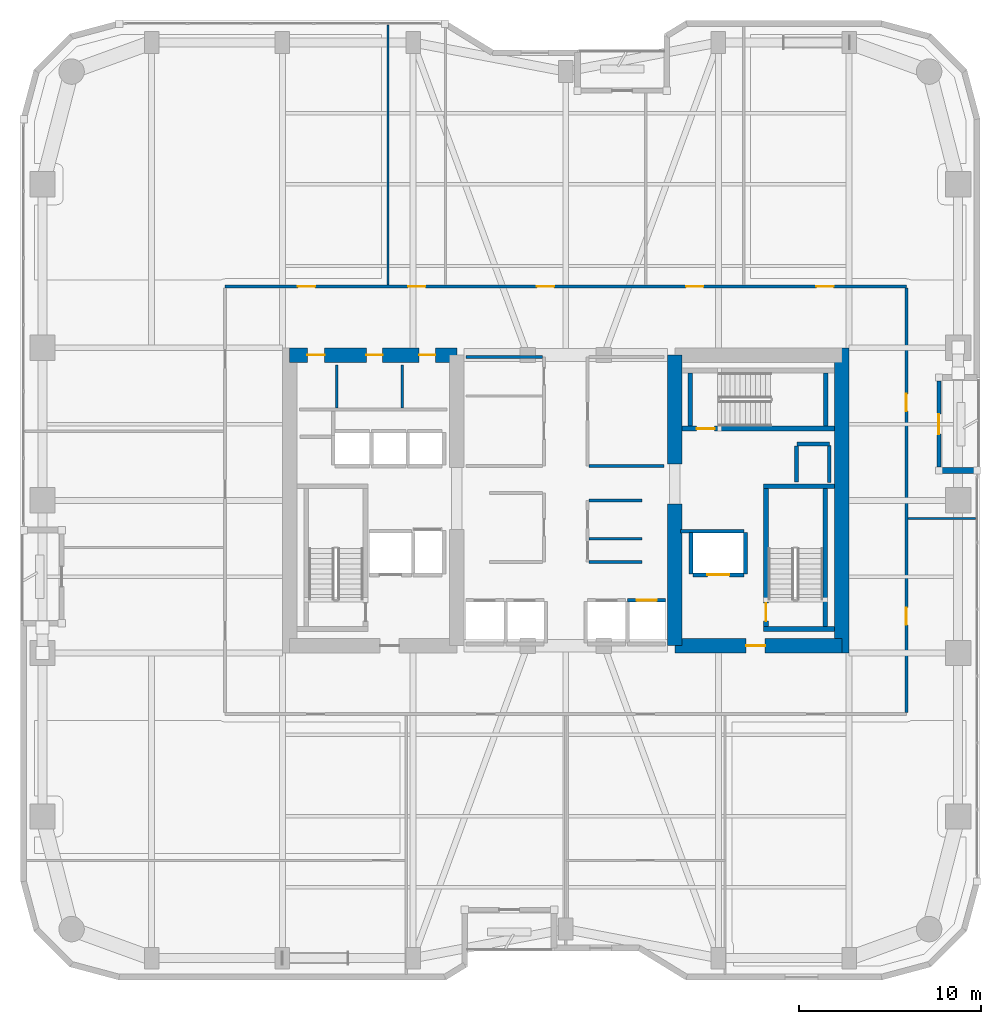
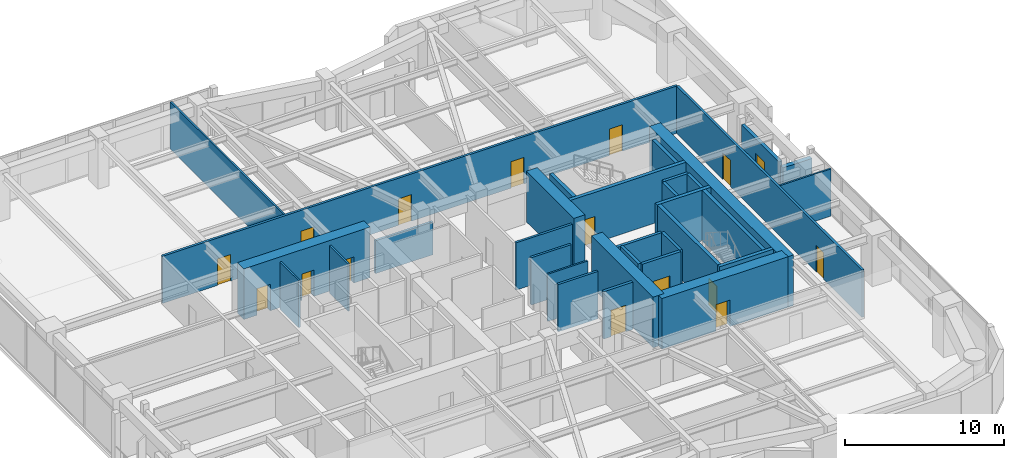
# One storey, part 20 of 24: 33 walls, 16 doors, 16 openings.
"""IFC4 building model written with IfcOpenShell, lengths in metres."""

from ifc_helpers import new_model, si_unit, direction, frame, frame_2d, origin, place, context, subcontext, project, spatial, rectangle, extrude, material, layer, layer_set, type_object, element, fill, save


model = new_model("IFC4")

# Units and contexts
model_context = context("Model", 3, precision=1e-05, world=origin(), true_north=direction((0.0, 1.0)))
body_context = subcontext(model_context, "Body", "Model", "MODEL_VIEW")
ifc_project = project(units=[si_unit("LENGTHUNIT", "METRE"), si_unit("AREAUNIT", "SQUARE_METRE"), si_unit("VOLUMEUNIT", "CUBIC_METRE"), si_unit("PLANEANGLEUNIT", "RADIAN"), si_unit("MASSUNIT", "GRAM", prefix="KILO")], contexts=[model_context])

# Site, building, storey
site_placement = place(None, origin())
site = spatial("IfcSite", under=ifc_project, at=site_placement, CompositionType="ELEMENT")
building_placement = place(site_placement, origin())
building = spatial("IfcBuilding", under=site, at=building_placement, Name="Kiyonajd Concourse Tower", CompositionType="ELEMENT")
storey_placement = place(building_placement, frame((0.0, 0.0, 93.60009765625)))
storey = spatial("IfcBuildingStorey", under=building, at=storey_placement, Name="L24", CompositionType="ELEMENT", Elevation=93.60009765625)

# Wall, openings, doors
ifc_material_1 = material(Name="Concrete C70/85", Category="concrete")
ifc_layer_1 = layer(ifc_material_1, 0.800048828125)
ifc_layer_set_1 = layer_set([ifc_layer_1], Name="Concrete C70/85")
wall_type_1 = type_object("IfcWallType", Name="WL-CORE-800", PredefinedType="SHEAR", material=ifc_layer_set_1)
wall_1_placement = place(storey_placement, frame((32.800048828125, 44.0, 0.0), z_axis=(0.0, 0.0, 1.0), x_axis=(1.0, 0.0, 0.0)))
wall_1 = element("IfcWall", 1, at=wall_1_placement, inside=storey, type_object=wall_type_1, Name="L24 West Core North Shear Wall", PredefinedType="SHEAR", context=body_context, shape_type="SweptSolid", body=[
    extrude(rectangle(XDim=9.199951171875, YDim=0.800048828125, at=frame_2d((4.60009765625, 0.0))), origin(), (0.0, 0.0, 1.0), 3.89990234375),
])
opening_1_placement = place(wall_1_placement, frame((0.97509765625, 0.0, 0.0)))
opening_1 = element("IfcOpeningElement", 2, at=opening_1_placement, cuts=wall_1, Name="Opening DI1", PredefinedType="OPENING", context=body_context, shape_type="SweptSolid", body=[
    extrude(rectangle(XDim=0.949951171875, YDim=2.0400390625, at=frame_2d((0.47509765625, 1.02001953125))), frame((0.0, 0.409912109375, 0.0), z_axis=(0.0, -1.0, 0.0), x_axis=(1.0, 0.0, 0.0)), (0.0, 0.0, 1.0), 0.820068359375),
])
opening_2_placement = place(wall_1_placement, frame((4.22509765625, 0.0, 0.0)))
opening_2 = element("IfcOpeningElement", 3, at=opening_2_placement, cuts=wall_1, Name="Opening DI2", PredefinedType="OPENING", context=body_context, shape_type="SweptSolid", body=[
    extrude(rectangle(XDim=0.89990234375, YDim=2.02001953125, at=frame_2d((0.449951171875, 1.010009765625))), frame((0.0, 0.409912109375, 0.0), z_axis=(0.0, -1.0, 0.0), x_axis=(1.0, 0.0, 0.0)), (0.0, 0.0, 1.0), 0.820068359375),
])
opening_3_placement = place(wall_1_placement, frame((7.125, 0.0, 0.0)))
opening_3 = element("IfcOpeningElement", 4, at=opening_3_placement, cuts=wall_1, Name="Opening DI2", PredefinedType="OPENING", context=body_context, shape_type="SweptSolid", body=[
    extrude(rectangle(XDim=0.89990234375, YDim=2.02001953125, at=frame_2d((0.449951171875, 1.010009765625))), frame((0.0, 0.409912109375, 0.0), z_axis=(0.0, -1.0, 0.0), x_axis=(1.0, 0.0, 0.0)), (0.0, 0.0, 1.0), 0.820068359375),
])
ifc_material_2 = material(Name="Natural Oak Acoustic Timber Veneer", Category="wood")
door_type_1 = type_object("IfcDoorType", Name="DR-INT-900", OperationType="NOTDEFINED", PredefinedType="DOOR", material=ifc_material_2)
door_1_placement = place(opening_2_placement, origin())
door_1 = element("IfcDoor", 5, at=door_1_placement, inside=storey, type_object=door_type_1, Name="L24 Male Restroom Door", OperationType="SINGLE_SWING_RIGHT", OverallHeight=2.02001953125, OverallWidth=0.89990234375, PredefinedType="DOOR", context=body_context, shape_type="SweptSolid", body=[
    extrude(rectangle(XDim=0.89990234375, YDim=2.02001953125, at=frame_2d((0.449951171875, 1.010009765625))), frame((0.0, 0.02490234375, 0.0), z_axis=(0.0, -1.0, 0.0), x_axis=(1.0, 0.0, 0.0)), (0.0, 0.0, 1.0), 0.050048828125),
])
fill(opening_2, door_1)
door_2_placement = place(opening_3_placement, origin())
door_2 = element("IfcDoor", 6, at=door_2_placement, inside=storey, type_object=door_type_1, Name="L24 Female Restroom Door", OperationType="SINGLE_SWING_LEFT", OverallHeight=2.02001953125, OverallWidth=0.89990234375, PredefinedType="DOOR", context=body_context, shape_type="SweptSolid", body=[
    extrude(rectangle(XDim=0.89990234375, YDim=2.02001953125, at=frame_2d((0.449951171875, 1.010009765625))), frame((0.0, 0.02490234375, 0.0), z_axis=(0.0, -1.0, 0.0), x_axis=(1.0, 0.0, 0.0)), (0.0, 0.0, 1.0), 0.050048828125),
])
fill(opening_3, door_2)
door_type_2 = type_object("IfcDoorType", Name="DR-INT-950", OperationType="NOTDEFINED", PredefinedType="DOOR", material=ifc_material_2)
door_3_placement = place(opening_1_placement, origin())
door_3 = element("IfcDoor", 7, at=door_3_placement, inside=storey, type_object=door_type_2, Name="L24 Single User Accessible WC Door", OperationType="SINGLE_SWING_LEFT", OverallHeight=2.0400390625, OverallWidth=0.949951171875, PredefinedType="DOOR", context=body_context, shape_type="SweptSolid", body=[
    extrude(rectangle(XDim=0.949951171875, YDim=2.0400390625, at=frame_2d((0.47509765625, 1.02001953125))), frame((0.0, 0.02490234375, 0.0), z_axis=(0.0, -1.0, 0.0), x_axis=(1.0, 0.0, 0.0)), (0.0, 0.0, 1.0), 0.050048828125),
])
fill(opening_1, door_3)

# Walls
wall_2_placement = place(storey_placement, frame((54.0, 28.0, 0.0), z_axis=(0.0, 0.0, 1.0), x_axis=(0.0, 1.0, 0.0)))
element("IfcWall", 8, at=wall_2_placement, inside=storey, type_object=wall_type_1, Name="L24 East Core Inner South Shear Wall", PredefinedType="SHEAR", context=body_context, shape_type="SweptSolid", body=[
    extrude(rectangle(XDim=7.800048828125, YDim=0.800048828125, at=frame_2d((3.89990234375, 0.0))), origin(), (0.0, 0.0, 1.0), 3.89990234375),
])
wall_3_placement = place(storey_placement, frame((54.0, 38.0, 0.0), z_axis=(0.0, 0.0, 1.0), x_axis=(0.0, 1.0, 0.0)))
element("IfcWall", 9, at=wall_3_placement, inside=storey, type_object=wall_type_1, Name="L24 East Core Inner North Shear Wall", PredefinedType="SHEAR", context=body_context, shape_type="SweptSolid", body=[
    extrude(rectangle(XDim=6.0, YDim=0.800048828125, at=frame_2d((3.0, 0.0))), origin(), (0.0, 0.0, 1.0), 3.89990234375),
])
wall_4_placement = place(storey_placement, frame((63.199951171875, 27.60009765625, 0.0), z_axis=(0.0, 0.0, 1.0), x_axis=(0.0, 1.0, 0.0)))
element("IfcWall", 10, at=wall_4_placement, inside=storey, type_object=wall_type_1, Name="L24 East Core Outer Shear Wall", PredefinedType="SHEAR", context=body_context, shape_type="SweptSolid", body=[
    extrude(rectangle(XDim=16.7998046875, YDim=0.800048828125, at=frame_2d((8.39990234375, 0.0))), origin(), (0.0, 0.0, 1.0), 3.89990234375),
])

# Wall, opening, door
wall_5_placement = place(storey_placement, frame((54.0, 28.0, 0.0), z_axis=(0.0, 0.0, 1.0), x_axis=(1.0, 0.0, 0.0)))
wall_5 = element("IfcWall", 11, at=wall_5_placement, inside=storey, type_object=wall_type_1, Name="L24 East Core South Shear Wall", PredefinedType="SHEAR", context=body_context, shape_type="SweptSolid", body=[
    extrude(rectangle(XDim=9.199951171875, YDim=0.800048828125, at=frame_2d((4.60009765625, 0.0))), origin(), (0.0, 0.0, 1.0), 3.89990234375),
])
opening_4_placement = place(wall_5_placement, frame((3.925048828125, 0.0, 0.0)))
opening_4 = element("IfcOpeningElement", 12, at=opening_4_placement, cuts=wall_5, Name="Opening DF5", PredefinedType="OPENING", context=body_context, shape_type="SweptSolid", body=[
    extrude(rectangle(XDim=1.050048828125, YDim=2.0400390625, at=frame_2d((0.52490234375, 1.02001953125))), frame((0.0, 0.409912109375, 0.0), z_axis=(0.0, -1.0, 0.0), x_axis=(1.0, 0.0, 0.0)), (0.0, 0.0, 1.0), 0.820068359375),
])
ifc_material_3 = material(Name="Brushed Stainless Steel Cab Assembly", Category="steel")
door_type_3 = type_object("IfcDoorType", Name="DR-FD45-1050", OperationType="NOTDEFINED", PredefinedType="DOOR", material=ifc_material_3)
door_4_placement = place(opening_4_placement, origin())
door_4 = element("IfcDoor", 13, at=door_4_placement, inside=storey, type_object=door_type_3, Name="L24 Firefighting Lift Lobby E Smoke Door", OperationType="SINGLE_SWING_RIGHT", OverallHeight=2.0400390625, OverallWidth=1.050048828125, PredefinedType="DOOR", context=body_context, shape_type="SweptSolid", body=[
    extrude(rectangle(XDim=1.050048828125, YDim=2.0400390625, at=frame_2d((0.52490234375, 1.02001953125))), frame((0.0, 0.02490234375, 0.0), z_axis=(0.0, -1.0, 0.0), x_axis=(1.0, 0.0, 0.0)), (0.0, 0.0, 1.0), 0.050048828125),
])
fill(opening_4, door_4)

# Wall
ifc_material_4 = material(Name="Precast concrete C50/60", Category="concrete")
ifc_layer_2 = layer(ifc_material_4, 0.320068359375)
ifc_layer_set_2 = layer_set([ifc_layer_2], Name="Precast concrete C50/60")
wall_type_2 = type_object("IfcWallType", Name="WL-EXT-320", PredefinedType="SOLIDWALL", material=ifc_layer_set_2)
wall_6_placement = place(storey_placement, frame((68.5400390625, 37.639892578125, 0.0), z_axis=(0.0, 0.0, 1.0), x_axis=(1.0, 0.0, 0.0)))
element("IfcWall", 14, at=wall_6_placement, inside=storey, type_object=wall_type_2, Name="L24 Exterior Concrete Frame Wall 23", PredefinedType="SOLIDWALL", context=body_context, shape_type="SweptSolid", body=[
    extrude(rectangle(XDim=2.099853515625, YDim=0.320068359375, at=frame_2d((1.0498046875, 0.0))), origin(), (0.0, 0.0, 1.0), 2.875),
])

# Wall, opening, door
ifc_layer_3 = layer(ifc_material_4, 0.239990234375)
ifc_layer_set_3 = layer_set([ifc_layer_3], Name="Precast concrete C50/60")
wall_type_3 = type_object("IfcWallType", Name="WL-LOG-240", PredefinedType="SOLIDWALL", material=ifc_layer_set_3)
wall_7_placement = place(storey_placement, frame((68.5400390625, 42.56494140625, 0.0), z_axis=(0.0, 0.0, 1.0), x_axis=(0.0, -1.0, 0.0)))
wall_7 = element("IfcWall", 15, at=wall_7_placement, inside=storey, type_object=wall_type_3, Name="L24 Recessed Loggia Thermal Wall LOG-E", PredefinedType="SOLIDWALL", context=body_context, shape_type="SweptSolid", body=[
    extrude(rectangle(XDim=4.72998046875, YDim=0.239990234375, at=frame_2d((2.364990234375, 0.0))), origin(), (0.0, 0.0, 1.0), 3.161865234375),
])
opening_5_placement = place(wall_7_placement, frame((1.81494140625, 0.0, 0.0)))
opening_5 = element("IfcOpeningElement", 16, at=opening_5_placement, cuts=wall_7, Name="Opening DL2", PredefinedType="OPENING", context=body_context, shape_type="SweptSolid", body=[
    extrude(rectangle(XDim=1.10009765625, YDim=2.0400390625, at=frame_2d((0.550048828125, 1.02001953125))), frame((0.0, 0.1298828125, 0.0), z_axis=(0.0, -1.0, 0.0), x_axis=(1.0, 0.0, 0.0)), (0.0, 0.0, 1.0), 0.260009765625),
])
ifc_material_5 = material(Name="Thermally Broken Anodised Aluminium", Category="aluminium")
door_type_4 = type_object("IfcDoorType", Name="DR-LOG-1100", OperationType="NOTDEFINED", PredefinedType="DOOR", material=ifc_material_5)
door_5_placement = place(opening_5_placement, origin())
door_5 = element("IfcDoor", 17, at=door_5_placement, inside=storey, type_object=door_type_4, Name="L24 Engawa Loggia Access Door LOG-E", OperationType="SINGLE_SWING_LEFT", OverallHeight=2.0400390625, OverallWidth=1.10009765625, PredefinedType="DOOR", context=body_context, shape_type="SweptSolid", body=[
    extrude(rectangle(XDim=1.10009765625, YDim=2.0400390625, at=frame_2d((0.550048828125, 1.02001953125))), frame((0.0, 0.02490234375, 0.0), z_axis=(0.0, -1.0, 0.0), x_axis=(1.0, 0.0, 0.0)), (0.0, 0.0, 1.0), 0.050048828125),
])
fill(opening_5, door_5)

# Walls
ifc_material_6 = material(Name="Gypsum Board on Cold-Formed Steel Stud", Category="steel")
ifc_layer_4 = layer(ifc_material_6, 0.125)
ifc_layer_set_4 = layer_set([ifc_layer_4], Name="Gypsum Board on Cold-Formed Steel Stud")
wall_type_4 = type_object("IfcWallType", Name="WL-PART-125", PredefinedType="PARTITIONING", material=ifc_layer_set_4)
for number, where, z_axis, x_axis, name in (
    (18, (35.39990234375, 41.094970703125, 0.0), (0.0, 0.0, 1.0), (0.0, 1.0, 0.0), "L24 Interior Partition Wall"),
    (19, (39.0, 41.094970703125, 0.0), (0.0, 0.0, 1.0), (0.0, 1.0, 0.0), "L24 Interior Partition Wall"),
):
    element("IfcWall", number, at=place(storey_placement, frame(where, z_axis=z_axis, x_axis=x_axis)), inside=storey, type_object=wall_type_4, Name=name, PredefinedType="PARTITIONING", context=body_context, shape_type="SweptSolid", body=[
        extrude(rectangle(XDim=2.35498046875, YDim=0.125, at=frame_2d((1.177490234375, 0.0))), origin(), (0.0, 0.0, 1.0), 3.639892578125),
    ])
wall_8_placement = place(storey_placement, frame((49.287109375, 33.89208984375, 0.0), z_axis=(0.0, 0.0, 1.0), x_axis=(1.0, 0.0, 0.0)))
element("IfcWall", 20, at=wall_8_placement, inside=storey, type_object=wall_type_4, Name="L24 Interior Partition Wall", PredefinedType="PARTITIONING", context=body_context, shape_type="SweptSolid", body=[
    extrude(rectangle(XDim=2.912841796875, YDim=0.125, at=frame_2d((1.45654296875, 0.0))), origin(), (0.0, 0.0, 1.0), 3.639892578125),
])
wall_9_placement = place(storey_placement, frame((38.2099609375, 47.85693359375, 0.0), z_axis=(0.0, 0.0, 1.0), x_axis=(0.0, 1.0, 0.0)))
element("IfcWall", 21, at=wall_9_placement, inside=storey, type_object=wall_type_4, Name="L24 Interior Partition Wall", PredefinedType="PARTITIONING", context=body_context, shape_type="SweptSolid", body=[
    extrude(rectangle(XDim=14.298095703125, YDim=0.125, at=frame_2d((7.14892578125, 0.0))), origin(), (0.0, 0.0, 1.0), 3.639892578125),
])
wall_10_placement = place(storey_placement, frame((66.8369140625, 35.0, 0.0), z_axis=(0.0, 0.0, 1.0), x_axis=(1.0, 0.0, 0.0)))
element("IfcWall", 22, at=wall_10_placement, inside=storey, type_object=wall_type_4, Name="L24 Interior Partition Wall", PredefinedType="PARTITIONING", context=body_context, shape_type="SweptSolid", body=[
    extrude(rectangle(XDim=3.718017578125, YDim=0.125, at=frame_2d((1.85888671875, 0.0))), origin(), (0.0, 0.0, 1.0), 3.639892578125),
])
ifc_layer_5 = layer(ifc_material_6, 0.2099609375)
ifc_layer_set_5 = layer_set([ifc_layer_5], Name="Gypsum Board on Cold-Formed Steel Stud")
wall_type_5 = type_object("IfcWallType", Name="WL-SHAFT-210", PredefinedType="PARTITIONING", material=ifc_layer_set_5)
wall_11_placement = place(storey_placement, frame((60.719970703125, 39.10009765625, 0.0), z_axis=(0.0, 0.0, 1.0), x_axis=(1.0, 0.0, 0.0)))
element("IfcWall", 23, at=wall_11_placement, inside=storey, type_object=wall_type_5, Name="L24 Shaft Enclosure Wall", PredefinedType="PARTITIONING", context=body_context, shape_type="SweptSolid", body=[
    extrude(rectangle(XDim=1.800048828125, YDim=0.2099609375, at=frame_2d((0.89990234375, 0.0))), origin(), (0.0, 0.0, 1.0), 3.639892578125),
])
wall_12_placement = place(storey_placement, frame((60.699951171875, 37.02001953125, 0.0), z_axis=(0.0, 0.0, 1.0), x_axis=(0.0, 1.0, 0.0)))
element("IfcWall", 24, at=wall_12_placement, inside=storey, type_object=wall_type_5, Name="L24 Shaft Enclosure Wall", PredefinedType="PARTITIONING", context=body_context, shape_type="SweptSolid", body=[
    extrude(rectangle(XDim=1.9599609375, YDim=0.2099609375, at=frame_2d((0.97998046875, 0.0))), origin(), (0.0, 0.0, 1.0), 3.639892578125),
])
wall_13_placement = place(storey_placement, frame((62.5, 36.97998046875, 0.0), z_axis=(0.0, 0.0, 1.0), x_axis=(0.0, 1.0, 0.0)))
element("IfcWall", 25, at=wall_13_placement, inside=storey, type_object=wall_type_5, Name="L24 Shaft Enclosure Wall", PredefinedType="PARTITIONING", context=body_context, shape_type="SweptSolid", body=[
    extrude(rectangle(XDim=2.0400390625, YDim=0.2099609375, at=frame_2d((1.02001953125, 0.0))), origin(), (0.0, 0.0, 1.0), 3.639892578125),
])

# Wall, opening, door
wall_14_placement = place(storey_placement, frame((55.0, 31.89990234375, 0.0), z_axis=(0.0, 0.0, 1.0), x_axis=(1.0, 0.0, 0.0)))
wall_14 = element("IfcWall", 26, at=wall_14_placement, inside=storey, type_object=wall_type_5, Name="L24 Shaft Enclosure Wall", PredefinedType="PARTITIONING", context=body_context, shape_type="SweptSolid", body=[
    extrude(rectangle(XDim=2.800048828125, YDim=0.2099609375, at=frame_2d((1.39990234375, 0.0))), origin(), (0.0, 0.0, 1.0), 3.639892578125),
])
opening_6_placement = place(wall_14_placement, frame((0.800048828125, 0.0, 0.0)))
opening_6 = element("IfcOpeningElement", 27, at=opening_6_placement, cuts=wall_14, Name="Opening LD2", PredefinedType="OPENING", context=body_context, shape_type="SweptSolid", body=[
    extrude(rectangle(XDim=1.199951171875, YDim=2.0400390625, at=frame_2d((0.60009765625, 1.02001953125))), frame((0.0, 0.114990234375, 0.0), z_axis=(0.0, -1.0, 0.0), x_axis=(1.0, 0.0, 0.0)), (0.0, 0.0, 1.0), 0.22998046875),
])
door_type_5 = type_object("IfcDoorType", Name="DR-LD-1200", OperationType="DOUBLE_DOOR_SLIDING", PredefinedType="DOOR", material=ifc_material_3)
door_6_placement = place(opening_6_placement, origin())
door_6 = element("IfcDoor", 28, at=door_6_placement, inside=storey, type_object=door_type_5, Name="L24 Lift FFL2 Sliding Landing Door", OperationType="DOUBLE_DOOR_SLIDING", OverallHeight=2.0400390625, OverallWidth=1.199951171875, PredefinedType="DOOR", context=body_context, shape_type="SweptSolid", body=[
    extrude(rectangle(XDim=1.199951171875, YDim=2.0400390625, at=frame_2d((0.60009765625, 1.02001953125))), frame((0.0, 0.02490234375, 0.0), z_axis=(0.0, -1.0, 0.0), x_axis=(1.0, 0.0, 0.0)), (0.0, 0.0, 1.0), 0.050048828125),
])
fill(opening_6, door_6)

# Walls
wall_15_placement = place(storey_placement, frame((54.320068359375, 34.300048828125, 0.0), z_axis=(0.0, 0.0, 1.0), x_axis=(1.0, 0.0, 0.0)))
element("IfcWall", 29, at=wall_15_placement, inside=storey, type_object=wall_type_5, Name="L24 Shaft Enclosure Wall", PredefinedType="PARTITIONING", context=body_context, shape_type="SweptSolid", body=[
    extrude(rectangle(XDim=3.47998046875, YDim=0.2099609375, at=frame_2d((1.739990234375, 0.0))), origin(), (0.0, 0.0, 1.0), 3.639892578125),
])
for number, where, z_axis, x_axis, name in (
    (30, (54.89990234375, 31.9599609375, 0.0), (0.0, 0.0, 1.0), (0.0, 1.0, 0.0), "L24 Shaft Enclosure Wall"),
    (31, (57.89990234375, 31.9599609375, 0.0), (0.0, 0.0, 1.0), (0.0, 1.0, 0.0), "L24 Shaft Enclosure Wall"),
):
    element("IfcWall", number, at=place(storey_placement, frame(where, z_axis=z_axis, x_axis=x_axis)), inside=storey, type_object=wall_type_5, Name=name, PredefinedType="PARTITIONING", context=body_context, shape_type="SweptSolid", body=[
        extrude(rectangle(XDim=2.280029296875, YDim=0.2099609375, at=frame_2d((1.14013671875, 0.0))), origin(), (0.0, 0.0, 1.0), 3.639892578125),
    ])

# Wall, opening, door
wall_16_placement = place(storey_placement, frame((51.39990234375, 30.5, 0.0), z_axis=(0.0, 0.0, 1.0), x_axis=(1.0, 0.0, 0.0)))
wall_16 = element("IfcWall", 32, at=wall_16_placement, inside=storey, type_object=wall_type_5, Name="L24 Shaft Enclosure Wall", PredefinedType="PARTITIONING", context=body_context, shape_type="SweptSolid", body=[
    extrude(rectangle(XDim=2.10009765625, YDim=0.2099609375, at=frame_2d((1.050048828125, 0.0))), origin(), (0.0, 0.0, 1.0), 3.639892578125),
])
opening_7_placement = place(wall_16_placement, frame((0.5, 0.0, 0.0)))
opening_7 = element("IfcOpeningElement", 33, at=opening_7_placement, cuts=wall_16, Name="Opening LD1", PredefinedType="OPENING", context=body_context, shape_type="SweptSolid", body=[
    extrude(rectangle(XDim=1.10009765625, YDim=2.0400390625, at=frame_2d((0.550048828125, 1.02001953125))), frame((0.0, 0.114990234375, 0.0), z_axis=(0.0, -1.0, 0.0), x_axis=(1.0, 0.0, 0.0)), (0.0, 0.0, 1.0), 0.22998046875),
])
door_type_6 = type_object("IfcDoorType", Name="DR-LD-1100", OperationType="DOUBLE_DOOR_SLIDING", PredefinedType="DOOR", material=ifc_material_3)
door_7_placement = place(opening_7_placement, origin())
door_7 = element("IfcDoor", 34, at=door_7_placement, inside=storey, type_object=door_type_6, Name="L24 Lift PL-L4 Sliding Landing Door", OperationType="DOUBLE_DOOR_SLIDING", OverallHeight=2.0400390625, OverallWidth=1.10009765625, PredefinedType="DOOR", context=body_context, shape_type="SweptSolid", body=[
    extrude(rectangle(XDim=1.10009765625, YDim=2.0400390625, at=frame_2d((0.550048828125, 1.02001953125))), frame((0.0, 0.02490234375, 0.0), z_axis=(0.0, -1.0, 0.0), x_axis=(1.0, 0.0, 0.0)), (0.0, 0.0, 1.0), 0.050048828125),
])
fill(opening_7, door_7)

# Walls
ifc_layer_6 = layer(ifc_material_6, 0.169921875)
ifc_layer_set_6 = layer_set([ifc_layer_6], Name="Gypsum Board on Cold-Formed Steel Stud")
wall_type_6 = type_object("IfcWallType", Name="WL-SMK-170", PredefinedType="PARTITIONING", material=ifc_layer_set_6)
for number, where, z_axis, x_axis, name in (
    (35, (49.287109375, 32.60009765625, 0.0), (0.0, 0.0, 1.0), (1.0, 0.0, 0.0), "L24 Interior Partition Wall"),
    (36, (49.287109375, 36.0, 0.0), (0.0, 0.0, 1.0), (1.0, 0.0, 0.0), "L24 Interior Partition Wall"),
):
    element("IfcWall", number, at=place(storey_placement, frame(where, z_axis=z_axis, x_axis=x_axis)), inside=storey, type_object=wall_type_6, Name=name, PredefinedType="PARTITIONING", context=body_context, shape_type="SweptSolid", body=[
        extrude(rectangle(XDim=2.912841796875, YDim=0.169921875, at=frame_2d((1.45654296875, 0.0))), origin(), (0.0, 0.0, 1.0), 3.639892578125),
    ])
wall_17_placement = place(storey_placement, frame((42.5, 43.89990234375, 0.0), z_axis=(0.0, 0.0, 1.0), x_axis=(1.0, 0.0, 0.0)))
element("IfcWall", 37, at=wall_17_placement, inside=storey, type_object=wall_type_6, Name="L24 Interior Partition Wall", PredefinedType="PARTITIONING", context=body_context, shape_type="SweptSolid", body=[
    extrude(rectangle(XDim=4.212890625, YDim=0.169921875, at=frame_2d((2.1064453125, 0.0))), origin(), (0.0, 0.0, 1.0), 2.52490234375),
])
wall_18_placement = place(storey_placement, frame((49.287109375, 37.89990234375, 0.0), z_axis=(0.0, 0.0, 1.0), x_axis=(1.0, 0.0, 0.0)))
element("IfcWall", 38, at=wall_18_placement, inside=storey, type_object=wall_type_6, Name="L24 Interior Partition Wall", PredefinedType="PARTITIONING", context=body_context, shape_type="SweptSolid", body=[
    extrude(rectangle(XDim=4.11279296875, YDim=0.169921875, at=frame_2d((2.056396484375, 0.0))), origin(), (0.0, 0.0, 1.0), 3.639892578125),
])

# Wall, openings, doors
wall_19_placement = place(storey_placement, frame((29.25, 47.77001953125, 0.0), z_axis=(0.0, 0.0, 1.0), x_axis=(1.0, 0.0, 0.0)))
wall_19 = element("IfcWall", 39, at=wall_19_placement, inside=storey, type_object=wall_type_6, Name="L24 Interior Partition Wall", PredefinedType="PARTITIONING", context=body_context, shape_type="SweptSolid", body=[
    extrude(rectangle(XDim=37.5, YDim=0.169921875, at=frame_2d((18.75, 0.0))), origin(), (0.0, 0.0, 1.0), 3.639892578125),
])
opening_8_placement = place(wall_19_placement, frame((4.0048828125, 0.0, 0.0)))
opening_8 = element("IfcOpeningElement", 40, at=opening_8_placement, cuts=wall_19, Name="Opening DI1", PredefinedType="OPENING", context=body_context, shape_type="SweptSolid", body=[
    extrude(rectangle(XDim=0.949951171875, YDim=2.0400390625, at=frame_2d((0.47509765625, 1.02001953125))), frame((0.0, 0.094970703125, 0.0), z_axis=(0.0, -1.0, 0.0), x_axis=(1.0, 0.0, 0.0)), (0.0, 0.0, 1.0), 0.18994140625),
])
opening_9_placement = place(wall_19_placement, frame((10.070068359375, 0.0, 0.0)))
opening_9 = element("IfcOpeningElement", 41, at=opening_9_placement, cuts=wall_19, Name="Opening DI1", PredefinedType="OPENING", context=body_context, shape_type="SweptSolid", body=[
    extrude(rectangle(XDim=0.949951171875, YDim=2.0400390625, at=frame_2d((0.47509765625, 1.02001953125))), frame((0.0, 0.094970703125, 0.0), z_axis=(0.0, -1.0, 0.0), x_axis=(1.0, 0.0, 0.0)), (0.0, 0.0, 1.0), 0.18994140625),
])
opening_10_placement = place(wall_19_placement, frame((17.1650390625, 0.0, 0.0)))
opening_10 = element("IfcOpeningElement", 42, at=opening_10_placement, cuts=wall_19, Name="Opening DI1", PredefinedType="OPENING", context=body_context, shape_type="SweptSolid", body=[
    extrude(rectangle(XDim=0.949951171875, YDim=2.0400390625, at=frame_2d((0.47509765625, 1.02001953125))), frame((0.0, 0.094970703125, 0.0), z_axis=(0.0, -1.0, 0.0), x_axis=(1.0, 0.0, 0.0)), (0.0, 0.0, 1.0), 0.18994140625),
])
opening_11_placement = place(wall_19_placement, frame((25.3701171875, 0.0, 0.0)))
opening_11 = element("IfcOpeningElement", 43, at=opening_11_placement, cuts=wall_19, Name="Opening DI1", PredefinedType="OPENING", context=body_context, shape_type="SweptSolid", body=[
    extrude(rectangle(XDim=0.949951171875, YDim=2.0400390625, at=frame_2d((0.47509765625, 1.02001953125))), frame((0.0, 0.094970703125, 0.0), z_axis=(0.0, -1.0, 0.0), x_axis=(1.0, 0.0, 0.0)), (0.0, 0.0, 1.0), 0.18994140625),
])
opening_12_placement = place(wall_19_placement, frame((32.544921875, 0.0, 0.0)))
opening_12 = element("IfcOpeningElement", 44, at=opening_12_placement, cuts=wall_19, Name="Opening DI1", PredefinedType="OPENING", context=body_context, shape_type="SweptSolid", body=[
    extrude(rectangle(XDim=0.949951171875, YDim=2.0400390625, at=frame_2d((0.47509765625, 1.02001953125))), frame((0.0, 0.094970703125, 0.0), z_axis=(0.0, -1.0, 0.0), x_axis=(1.0, 0.0, 0.0)), (0.0, 0.0, 1.0), 0.18994140625),
])
door_8_placement = place(opening_8_placement, origin())
door_8 = element("IfcDoor", 45, at=door_8_placement, inside=storey, type_object=door_type_2, Name="L24 Interior Door", OperationType="SINGLE_SWING_RIGHT", OverallHeight=2.0400390625, OverallWidth=0.949951171875, PredefinedType="DOOR", context=body_context, shape_type="SweptSolid", body=[
    extrude(rectangle(XDim=0.949951171875, YDim=2.0400390625, at=frame_2d((0.47509765625, 1.02001953125))), frame((0.0, 0.02490234375, 0.0), z_axis=(0.0, -1.0, 0.0), x_axis=(1.0, 0.0, 0.0)), (0.0, 0.0, 1.0), 0.050048828125),
])
fill(opening_8, door_8)
door_9_placement = place(opening_9_placement, origin())
door_9 = element("IfcDoor", 46, at=door_9_placement, inside=storey, type_object=door_type_2, Name="L24 Interior Door", OperationType="SINGLE_SWING_LEFT", OverallHeight=2.0400390625, OverallWidth=0.949951171875, PredefinedType="DOOR", context=body_context, shape_type="SweptSolid", body=[
    extrude(rectangle(XDim=0.949951171875, YDim=2.0400390625, at=frame_2d((0.47509765625, 1.02001953125))), frame((0.0, 0.02490234375, 0.0), z_axis=(0.0, -1.0, 0.0), x_axis=(1.0, 0.0, 0.0)), (0.0, 0.0, 1.0), 0.050048828125),
])
fill(opening_9, door_9)
door_10_placement = place(opening_10_placement, origin())
door_10 = element("IfcDoor", 47, at=door_10_placement, inside=storey, type_object=door_type_2, Name="L24 Interior Door", OperationType="SINGLE_SWING_RIGHT", OverallHeight=2.0400390625, OverallWidth=0.949951171875, PredefinedType="DOOR", context=body_context, shape_type="SweptSolid", body=[
    extrude(rectangle(XDim=0.949951171875, YDim=2.0400390625, at=frame_2d((0.47509765625, 1.02001953125))), frame((0.0, 0.02490234375, 0.0), z_axis=(0.0, -1.0, 0.0), x_axis=(1.0, 0.0, 0.0)), (0.0, 0.0, 1.0), 0.050048828125),
])
fill(opening_10, door_10)
door_11_placement = place(opening_11_placement, origin())
door_11 = element("IfcDoor", 48, at=door_11_placement, inside=storey, type_object=door_type_2, Name="L24 Interior Door", OperationType="SINGLE_SWING_LEFT", OverallHeight=2.0400390625, OverallWidth=0.949951171875, PredefinedType="DOOR", context=body_context, shape_type="SweptSolid", body=[
    extrude(rectangle(XDim=0.949951171875, YDim=2.0400390625, at=frame_2d((0.47509765625, 1.02001953125))), frame((0.0, 0.02490234375, 0.0), z_axis=(0.0, -1.0, 0.0), x_axis=(1.0, 0.0, 0.0)), (0.0, 0.0, 1.0), 0.050048828125),
])
fill(opening_11, door_11)
door_12_placement = place(opening_12_placement, origin())
door_12 = element("IfcDoor", 49, at=door_12_placement, inside=storey, type_object=door_type_2, Name="L24 Interior Door", OperationType="SINGLE_SWING_RIGHT", OverallHeight=2.0400390625, OverallWidth=0.949951171875, PredefinedType="DOOR", context=body_context, shape_type="SweptSolid", body=[
    extrude(rectangle(XDim=0.949951171875, YDim=2.0400390625, at=frame_2d((0.47509765625, 1.02001953125))), frame((0.0, 0.02490234375, 0.0), z_axis=(0.0, -1.0, 0.0), x_axis=(1.0, 0.0, 0.0)), (0.0, 0.0, 1.0), 0.050048828125),
])
fill(opening_12, door_12)

wall_20_placement = place(storey_placement, frame((66.75, 24.31689453125, 0.0), z_axis=(0.0, 0.0, 1.0), x_axis=(0.0, 1.0, 0.0)))
wall_20 = element("IfcWall", 50, at=wall_20_placement, inside=storey, type_object=wall_type_6, Name="L24 Interior Partition Wall", PredefinedType="PARTITIONING", context=body_context, shape_type="SweptSolid", body=[
    extrude(rectangle(XDim=23.3662109375, YDim=0.169921875, at=frame_2d((11.68310546875, 0.0))), origin(), (0.0, 0.0, 1.0), 3.639892578125),
])
opening_13_placement = place(wall_20_placement, frame((4.822998046875, 0.0, 0.0)))
opening_13 = element("IfcOpeningElement", 51, at=opening_13_placement, cuts=wall_20, Name="Opening DI1", PredefinedType="OPENING", context=body_context, shape_type="SweptSolid", body=[
    extrude(rectangle(XDim=0.949951171875, YDim=2.0400390625, at=frame_2d((0.47509765625, 1.02001953125))), frame((0.0, 0.094970703125, 0.0), z_axis=(0.0, -1.0, 0.0), x_axis=(1.0, 0.0, 0.0)), (0.0, 0.0, 1.0), 0.18994140625),
])
opening_14_placement = place(wall_20_placement, frame((16.593017578125, 0.0, 0.0)))
opening_14 = element("IfcOpeningElement", 52, at=opening_14_placement, cuts=wall_20, Name="Opening DI1", PredefinedType="OPENING", context=body_context, shape_type="SweptSolid", body=[
    extrude(rectangle(XDim=0.949951171875, YDim=2.0400390625, at=frame_2d((0.47509765625, 1.02001953125))), frame((0.0, 0.094970703125, 0.0), z_axis=(0.0, -1.0, 0.0), x_axis=(1.0, 0.0, 0.0)), (0.0, 0.0, 1.0), 0.18994140625),
])
door_13_placement = place(opening_13_placement, origin())
door_13 = element("IfcDoor", 53, at=door_13_placement, inside=storey, type_object=door_type_2, Name="L24 Interior Door", OperationType="SINGLE_SWING_RIGHT", OverallHeight=2.0400390625, OverallWidth=0.949951171875, PredefinedType="DOOR", context=body_context, shape_type="SweptSolid", body=[
    extrude(rectangle(XDim=0.949951171875, YDim=2.0400390625, at=frame_2d((0.47509765625, 1.02001953125))), frame((0.0, 0.02490234375, 0.0), z_axis=(0.0, -1.0, 0.0), x_axis=(1.0, 0.0, 0.0)), (0.0, 0.0, 1.0), 0.050048828125),
])
fill(opening_13, door_13)
door_14_placement = place(opening_14_placement, origin())
door_14 = element("IfcDoor", 54, at=door_14_placement, inside=storey, type_object=door_type_2, Name="L24 Interior Door", OperationType="SINGLE_SWING_LEFT", OverallHeight=2.0400390625, OverallWidth=0.949951171875, PredefinedType="DOOR", context=body_context, shape_type="SweptSolid", body=[
    extrude(rectangle(XDim=0.949951171875, YDim=2.0400390625, at=frame_2d((0.47509765625, 1.02001953125))), frame((0.0, 0.02490234375, 0.0), z_axis=(0.0, -1.0, 0.0), x_axis=(1.0, 0.0, 0.0)), (0.0, 0.0, 1.0), 0.050048828125),
])
fill(opening_14, door_14)

# Walls
ifc_material_7 = material(Name="Concrete C50/60", Category="concrete")
ifc_layer_7 = layer(ifc_material_7, 0.260009765625)
ifc_layer_set_7 = layer_set([ifc_layer_7], Name="Concrete C50/60")
wall_type_7 = type_object("IfcWallType", Name="WL-STAIR-260", PredefinedType="SHEAR", material=ifc_layer_set_7)
for number, where, z_axis, x_axis, name in (
    (55, (58.889892578125, 28.919921875, 0.0), (0.0, 0.0, 1.0), (1.0, 0.0, 0.0), "L24 Stair ST2 Structural South Wall"),
    (56, (58.889892578125, 36.780029296875, 0.0), (0.0, 0.0, 1.0), (1.0, 0.0, 0.0), "L24 Stair ST2 Structural North Wall"),
):
    element("IfcWall", number, at=place(storey_placement, frame(where, z_axis=z_axis, x_axis=x_axis)), inside=storey, type_object=wall_type_7, Name=name, PredefinedType="SHEAR", context=body_context, shape_type="SweptSolid", body=[
        extrude(rectangle(XDim=3.91015625, YDim=0.260009765625, at=frame_2d((1.955078125, 0.0))), origin(), (0.0, 0.0, 1.0), 3.89990234375),
    ])

# Wall, opening, door
wall_21_placement = place(storey_placement, frame((59.02001953125, 29.050048828125, 0.0), z_axis=(0.0, 0.0, 1.0), x_axis=(0.0, 1.0, 0.0)))
wall_21 = element("IfcWall", 57, at=wall_21_placement, inside=storey, type_object=wall_type_7, Name="L24 Stair ST2 Structural West Wall", PredefinedType="SHEAR", context=body_context, shape_type="SweptSolid", body=[
    extrude(rectangle(XDim=7.599853515625, YDim=0.260009765625, at=frame_2d((3.7998046875, 0.0))), origin(), (0.0, 0.0, 1.0), 3.89990234375),
])
opening_15_placement = place(wall_21_placement, frame((0.300048828125, 0.0, 0.0)))
opening_15 = element("IfcOpeningElement", 58, at=opening_15_placement, cuts=wall_21, Name="Opening DF1", PredefinedType="OPENING", context=body_context, shape_type="SweptSolid", body=[
    extrude(rectangle(XDim=1.0, YDim=2.0400390625, at=frame_2d((0.5, 1.02001953125))), frame((0.0, 0.139892578125, 0.0), z_axis=(0.0, -1.0, 0.0), x_axis=(1.0, 0.0, 0.0)), (0.0, 0.0, 1.0), 0.280029296875),
])
door_type_7 = type_object("IfcDoorType", Name="DR-FD90-1000", OperationType="NOTDEFINED", PredefinedType="DOOR", material=ifc_material_3)
door_15_placement = place(opening_15_placement, origin())
door_15 = element("IfcDoor", 59, at=door_15_placement, inside=storey, type_object=door_type_7, Name="L24 Stair ST2 FSAE Door", OperationType="SINGLE_SWING_RIGHT", OverallHeight=2.0400390625, OverallWidth=1.0, PredefinedType="DOOR", context=body_context, shape_type="SweptSolid", body=[
    extrude(rectangle(XDim=1.0, YDim=2.0400390625, at=frame_2d((0.5, 1.02001953125))), frame((0.0, 0.02490234375, 0.0), z_axis=(0.0, -1.0, 0.0), x_axis=(1.0, 0.0, 0.0)), (0.0, 0.0, 1.0), 0.050048828125),
])
fill(opening_15, door_15)

# Wall
wall_22_placement = place(storey_placement, frame((62.280029296875, 29.050048828125, 0.0), z_axis=(0.0, 0.0, 1.0), x_axis=(0.0, 1.0, 0.0)))
element("IfcWall", 60, at=wall_22_placement, inside=storey, type_object=wall_type_7, Name="L24 Stair ST2 Structural East Wall", PredefinedType="SHEAR", context=body_context, shape_type="SweptSolid", body=[
    extrude(rectangle(XDim=7.599853515625, YDim=0.260009765625, at=frame_2d((3.7998046875, 0.0))), origin(), (0.0, 0.0, 1.0), 3.89990234375),
])

# Wall, opening, door
wall_23_placement = place(storey_placement, frame((54.39990234375, 39.949951171875, 0.0), z_axis=(0.0, 0.0, 1.0), x_axis=(1.0, 0.0, 0.0)))
wall_23 = element("IfcWall", 61, at=wall_23_placement, inside=storey, type_object=wall_type_7, Name="L24 Stair ST3 Structural South Wall", PredefinedType="SHEAR", context=body_context, shape_type="SweptSolid", body=[
    extrude(rectangle(XDim=8.400146484375, YDim=0.260009765625, at=frame_2d((4.2001953125, 0.0))), origin(), (0.0, 0.0, 1.0), 3.89990234375),
])
opening_16_placement = place(wall_23_placement, frame((0.800048828125, 0.0, 0.0)))
opening_16 = element("IfcOpeningElement", 62, at=opening_16_placement, cuts=wall_23, Name="Opening DF1", PredefinedType="OPENING", context=body_context, shape_type="SweptSolid", body=[
    extrude(rectangle(XDim=1.0, YDim=2.0400390625, at=frame_2d((0.5, 1.02001953125))), frame((0.0, 0.139892578125, 0.0), z_axis=(0.0, -1.0, 0.0), x_axis=(1.0, 0.0, 0.0)), (0.0, 0.0, 1.0), 0.280029296875),
])
door_16_placement = place(opening_16_placement, origin())
door_16 = element("IfcDoor", 63, at=door_16_placement, inside=storey, type_object=door_type_7, Name="L24 Stair ST3 Enclosure Door", OperationType="SINGLE_SWING_LEFT", OverallHeight=2.0400390625, OverallWidth=1.0, PredefinedType="DOOR", context=body_context, shape_type="SweptSolid", body=[
    extrude(rectangle(XDim=1.0, YDim=2.0400390625, at=frame_2d((0.5, 1.02001953125))), frame((0.0, 0.02490234375, 0.0), z_axis=(0.0, -1.0, 0.0), x_axis=(1.0, 0.0, 0.0)), (0.0, 0.0, 1.0), 0.050048828125),
])
fill(opening_16, door_16)

# Walls
for number, where, z_axis, x_axis, name in (
    (64, (54.85009765625, 40.080078125, 0.0), (0.0, 0.0, 1.0), (0.0, 1.0, 0.0), "L24 Stair ST3 Structural West Wall"),
    (65, (62.31005859375, 40.080078125, 0.0), (0.0, 0.0, 1.0), (0.0, 1.0, 0.0), "L24 Stair ST3 Structural East Wall"),
):
    element("IfcWall", number, at=place(storey_placement, frame(where, z_axis=z_axis, x_axis=x_axis)), inside=storey, type_object=wall_type_7, Name=name, PredefinedType="SHEAR", context=body_context, shape_type="SweptSolid", body=[
        extrude(rectangle(XDim=2.93994140625, YDim=0.260009765625, at=frame_2d((1.469970703125, 0.0))), origin(), (0.0, 0.0, 1.0), 3.89990234375),
    ])

save(model, "model.ifc")
